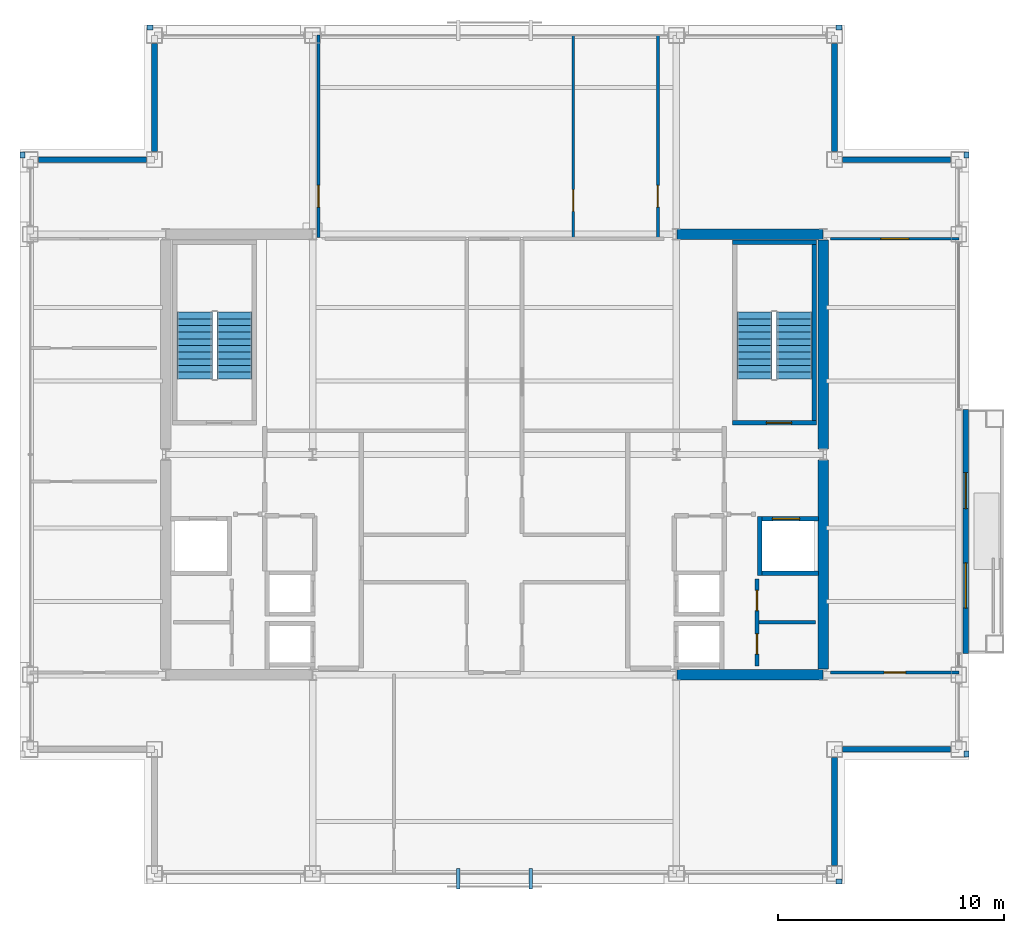
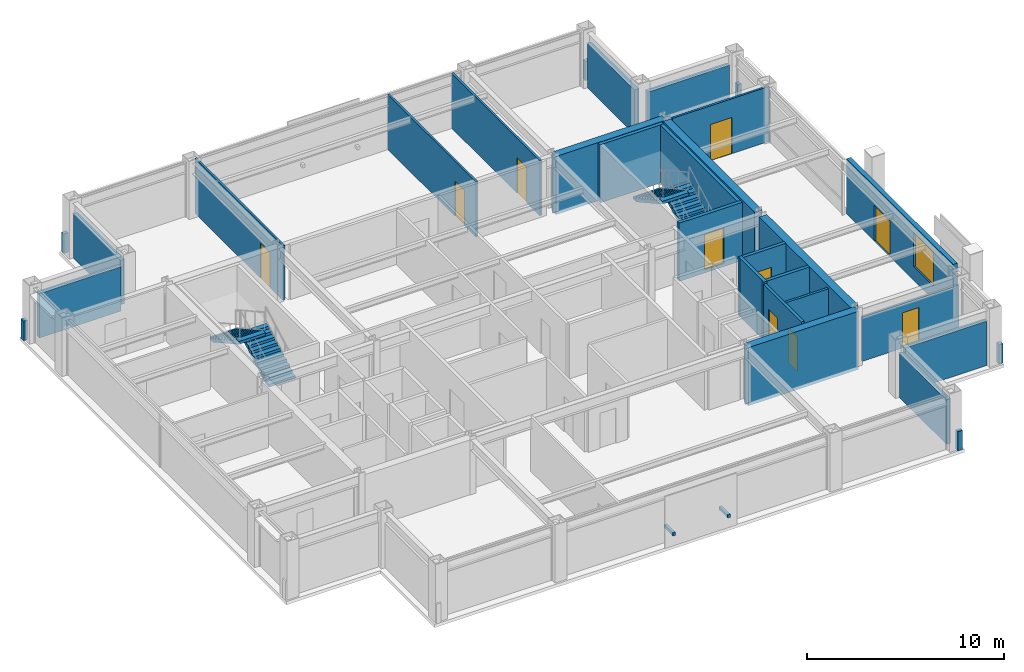
# One storey, part 27 of 30: 30 walls, 10 doors, 4 stair flights, 2 discrete accessories, 1 window, 11 openings, 2 elements without a shape of their own.
"""IFC4 building model written with IfcOpenShell, lengths in metres."""

from ifc_helpers import new_model, si_unit, direction, frame, frame_2d, origin, origin_2d, place, context, subcontext, project, spatial, polyline, rectangle, outline, extrude, material, layer, layer_set, type_object, element, fill, aggregate, save


model = new_model("IFC4")

# Units and contexts
model_context = context("Model", 3, precision=1e-05, world=origin(), true_north=direction((0.0, 1.0)))
body_context = subcontext(model_context, "Body", "Model", "MODEL_VIEW")
ifc_project = project(units=[si_unit("LENGTHUNIT", "METRE"), si_unit("AREAUNIT", "SQUARE_METRE"), si_unit("VOLUMEUNIT", "CUBIC_METRE"), si_unit("PLANEANGLEUNIT", "RADIAN"), si_unit("MASSUNIT", "GRAM", prefix="KILO")], contexts=[model_context])

# Site, building, storey
site_placement = place(None, origin())
site = spatial("IfcSite", under=ifc_project, at=site_placement, CompositionType="ELEMENT")
building_placement = place(site_placement, origin())
building = spatial("IfcBuilding", under=site, at=building_placement, Name="Brelmoor Portico Tower", CompositionType="ELEMENT")
storey_placement = place(building_placement, frame((0.0, 0.0, 187.5)))
storey = spatial("IfcBuildingStorey", under=building, at=storey_placement, Name="L49", CompositionType="ELEMENT", Elevation=187.5)

# Walls
ifc_material_1 = material(Name="Concrete C50", Category="concrete")
ifc_layer_1 = layer(ifc_material_1, 0.449951171875)
ifc_layer_set_1 = layer_set([ifc_layer_1], Name="Concrete C50")
wall_type_1 = type_object("IfcWallType", Name="WL-CORE-450", PredefinedType="SHEAR", material=ifc_layer_set_1)
for number, where, z_axis, x_axis, name in (
    (1, (8.070068359375, -9.75, -0.199951171875), (0.0, 0.0, 1.0), (1.0, 0.0, 0.0), "L49 EC South Shear Wall"),
    (2, (8.070068359375, 9.75, -0.199951171875), (0.0, 0.0, 1.0), (1.0, 0.0, 0.0), "L49 EC North Shear Wall"),
):
    element("IfcWall", number, at=place(storey_placement, frame(where, z_axis=z_axis, x_axis=x_axis)), inside=storey, type_object=wall_type_1, Name=name, PredefinedType="SHEAR", context=body_context, shape_type="SweptSolid", body=[
        extrude(rectangle(XDim=6.4599609375, YDim=0.449951171875, at=frame_2d((3.22998046875, 0.0))), origin(), (0.0, 0.0, 1.0), 3.599853515625),
    ])
for number, where, z_axis, x_axis, name in (
    (3, (14.550048828125, -9.5, -0.199951171875), (0.0, 0.0, 1.0), (0.0, 1.0, 0.0), "L49 EC Outer South Shear Wall"),
    (4, (14.550048828125, 0.25, -0.199951171875), (0.0, 0.0, 1.0), (0.0, 1.0, 0.0), "L49 EC Outer North Shear Wall"),
):
    element("IfcWall", number, at=place(storey_placement, frame(where, z_axis=z_axis, x_axis=x_axis)), inside=storey, type_object=wall_type_1, Name=name, PredefinedType="SHEAR", context=body_context, shape_type="SweptSolid", body=[
        extrude(rectangle(XDim=9.25, YDim=0.449951171875, at=frame_2d((4.625, 0.0))), origin(), (0.0, 0.0, 1.0), 3.599853515625),
    ])

# Wall, openings, door, window
ifc_material_2 = material(Name="Precast Concrete C40 Insulated Facade Wall", Category="concrete")
ifc_layer_2 = layer(ifc_material_2, 0.25)
ifc_layer_set_2 = layer_set([ifc_layer_2], Name="Precast Concrete C40 Insulated Facade Wall")
wall_type_2 = type_object("IfcWallType", Name="WL-EXT-250", PredefinedType="STANDARD", material=ifc_layer_set_2)
wall_1_placement = place(storey_placement, frame((20.860107421875, -8.800048828125, 0.0), z_axis=(0.0, 0.0, 1.0), x_axis=(0.0, 1.0, 0.0)))
wall_1 = element("IfcWall", 5, at=wall_1_placement, inside=storey, type_object=wall_type_2, Name="L49 Loggia Threshold Wall E-1", PredefinedType="STANDARD", context=body_context, shape_type="SweptSolid", body=[
    extrude(rectangle(XDim=10.800048828125, YDim=0.25, at=frame_2d((5.39990234375, 0.0))), origin(), (0.0, 0.0, 1.0), 3.39990234375),
])
opening_1_placement = place(wall_1_placement, frame((6.39990234375, 0.0, 0.0)))
opening_1 = element("IfcOpeningElement", 6, at=opening_1_placement, cuts=wall_1, Name="Opening D-TB1", PredefinedType="OPENING", context=body_context, shape_type="SweptSolid", body=[
    extrude(rectangle(XDim=1.60009765625, YDim=2.199951171875, at=frame_2d((0.800048828125, 1.10009765625))), frame((0.0, 0.135009765625, 0.0), z_axis=(0.0, -1.0, 0.0), x_axis=(1.0, 0.0, 0.0)), (0.0, 0.0, 1.0), 0.27001953125),
])
opening_2_placement = place(wall_1_placement, frame((2.0, 0.0, 0.85009765625)))
opening_2 = element("IfcOpeningElement", 7, at=opening_2_placement, cuts=wall_1, Name="Opening W-03", PredefinedType="OPENING", context=body_context, shape_type="SweptSolid", body=[
    extrude(rectangle(XDim=2.0, YDim=2.10009765625, at=frame_2d((1.0, 1.050048828125))), frame((0.0, 0.135009765625, 0.0), z_axis=(0.0, -1.0, 0.0), x_axis=(1.0, 0.0, 0.0)), (0.0, 0.0, 1.0), 0.27001953125),
])
ifc_material_3 = material(Name="Double-Leaf Thermally Broken Terrace Door", Category="aluminium")
door_type_1 = type_object("IfcDoorType", Name="DR-BALCONY-1600", OperationType="NOTDEFINED", PredefinedType="DOOR", material=ifc_material_3)
door_1_placement = place(opening_1_placement, origin())
door_1 = element("IfcDoor", 8, at=door_1_placement, inside=storey, type_object=door_type_1, Name="D-2093 L49 Tree Balcony Double Door E", OperationType="DOUBLE_DOOR_SINGLE_SWING", OverallHeight=2.199951171875, OverallWidth=1.60009765625, PredefinedType="DOOR", context=body_context, shape_type="SweptSolid", body=[
    extrude(rectangle(XDim=1.60009765625, YDim=2.199951171875, at=frame_2d((0.800048828125, 1.10009765625))), frame((0.0, 0.02490234375, 0.0), z_axis=(0.0, -1.0, 0.0), x_axis=(1.0, 0.0, 0.0)), (0.0, 0.0, 1.0), 0.050048828125),
])
fill(opening_1, door_1)
ifc_material_4 = material(Name="Thermally Broken Aluminium Low-E Window", Category="aluminium")
window_type = type_object("IfcWindowType", Name="WN-LOGGIA-2000x2100", PartitioningType="SINGLE_PANEL", PredefinedType="WINDOW", material=ifc_material_4)
window_placement = place(opening_2_placement, origin())
window = element("IfcWindow", 9, at=window_placement, inside=storey, type_object=window_type, Name="L49 Loggia Window E", OverallHeight=2.10009765625, OverallWidth=2.0, PartitioningType="SINGLE_PANEL", PredefinedType="WINDOW", context=body_context, shape_type="SweptSolid", body=[
    extrude(rectangle(XDim=2.0, YDim=2.10009765625, at=frame_2d((1.0, 1.050048828125))), frame((0.0, 0.030029296875, 0.0), z_axis=(0.0, -1.0, 0.0), x_axis=(1.0, 0.0, 0.0)), (0.0, 0.0, 1.0), 0.06005859375),
])
fill(opening_2, window)

# Walls
for number, where, z_axis, x_axis, name in (
    (10, (15.409912109375, -13.050048828125, 0.0), (0.0, 0.0, 1.0), (1.0, 0.0, 0.0), "L49 Corner Notch Facade Wall NSEH1"),
    (11, (15.050048828125, -18.18994140625, 0.0), (0.0, 0.0, 1.0), (0.0, 1.0, 0.0), "L49 Corner Notch Facade Wall NSEV1"),
    (12, (-20.18994140625, 13.050048828125, 0.0), (0.0, 0.0, 1.0), (1.0, 0.0, 0.0), "L49 Corner Notch Facade Wall NNWH1"),
    (13, (-15.050048828125, 13.409912109375, 0.0), (0.0, 0.0, 1.0), (0.0, 1.0, 0.0), "L49 Corner Notch Facade Wall NNWV1"),
    (14, (15.409912109375, 13.050048828125, 0.0), (0.0, 0.0, 1.0), (1.0, 0.0, 0.0), "L49 Corner Notch Facade Wall NNEH1"),
    (15, (15.050048828125, 13.409912109375, 0.0), (0.0, 0.0, 1.0), (0.0, 1.0, 0.0), "L49 Corner Notch Facade Wall NNEV1"),
):
    element("IfcWall", number, at=place(storey_placement, frame(where, z_axis=z_axis, x_axis=x_axis)), inside=storey, type_object=wall_type_2, Name=name, PredefinedType="STANDARD", context=body_context, shape_type="SweptSolid", body=[
        extrude(rectangle(XDim=4.780029296875, YDim=0.25, at=frame_2d((2.39013671875, 0.0))), origin(), (0.0, 0.0, 1.0), 2.75),
    ])
ifc_material_5 = material(Name="Concrete C40 Parapet Upstand", Category="concrete")
ifc_layer_3 = layer(ifc_material_5, 0.219970703125)
ifc_layer_set_3 = layer_set([ifc_layer_3], Name="Concrete C40 Parapet Upstand")
wall_type_3 = type_object("IfcWallType", Name="WL-PARAPET-220", PredefinedType="PARAPET", material=ifc_layer_set_3)
for number, where, z_axis, x_axis, name in (
    (16, (15.1201171875, -18.889892578125, 0.0), (0.0, 0.0, 1.0), (1.0, 0.0, 0.0), "L49 Chamfer Vertex Parapet Pier SE1"),
    (17, (20.889892578125, -13.389892578125, 0.0), (0.0, 0.0, 1.0), (0.0, 1.0, 0.0), "L49 Chamfer Vertex Parapet Pier SE2"),
    (18, (-15.389892578125, 18.889892578125, 0.0), (0.0, 0.0, 1.0), (1.0, 0.0, 0.0), "L49 Chamfer Vertex Parapet Pier NW1"),
    (19, (-20.889892578125, 13.1201171875, 0.0), (0.0, 0.0, 1.0), (0.0, 1.0, 0.0), "L49 Chamfer Vertex Parapet Pier NW2"),
    (20, (15.1201171875, 18.889892578125, 0.0), (0.0, 0.0, 1.0), (1.0, 0.0, 0.0), "L49 Chamfer Vertex Parapet Pier NE1"),
    (21, (20.889892578125, 13.1201171875, 0.0), (0.0, 0.0, 1.0), (0.0, 1.0, 0.0), "L49 Chamfer Vertex Parapet Pier NE2"),
):
    element("IfcWall", number, at=place(storey_placement, frame(where, z_axis=z_axis, x_axis=x_axis)), inside=storey, type_object=wall_type_3, Name=name, PredefinedType="PARAPET", context=body_context, shape_type="SweptSolid", body=[
        extrude(rectangle(XDim=0.269775390625, YDim=0.219970703125, at=frame_2d((0.134765625, 0.0))), origin(), (0.0, 0.0, 1.0), 1.199951171875),
    ])

# Wall, opening, door
ifc_material_6 = material(Name="Lightweight Gypsum Office Partition", Category="gypsum")
ifc_layer_4 = layer(ifc_material_6, 0.1201171875)
ifc_layer_set_4 = layer_set([ifc_layer_4], Name="Lightweight Gypsum Office Partition")
wall_type_4 = type_object("IfcWallType", Name="WL-PART-120", PredefinedType="PARTITIONING", material=ifc_layer_set_4)
wall_2_placement = place(storey_placement, frame((-7.78955078125, 9.610107421875, 0.0), z_axis=(0.0, 0.0, 1.0), x_axis=(0.0, 1.0, 0.0)))
wall_2 = element("IfcWall", 22, at=wall_2_placement, inside=storey, type_object=wall_type_4, Name="L49 North Suite Partition 1", PredefinedType="PARTITIONING", context=body_context, shape_type="SweptSolid", body=[
    extrude(rectangle(XDim=8.949951171875, YDim=0.1201171875, at=frame_2d((4.47509765625, 0.0))), origin(), (0.0, 0.0, 1.0), 3.39990234375),
])
opening_3_placement = place(wall_2_placement, frame((1.340087890625, 0.0, 0.0)))
opening_3 = element("IfcOpeningElement", 23, at=opening_3_placement, cuts=wall_2, Name="Opening D-IN2", PredefinedType="OPENING", context=body_context, shape_type="SweptSolid", body=[
    extrude(rectangle(XDim=0.9599609375, YDim=2.179931640625, at=frame_2d((0.47998046875, 1.08984375))), frame((0.0, 0.070068359375, 0.0), z_axis=(0.0, -1.0, 0.0), x_axis=(1.0, 0.0, 0.0)), (0.0, 0.0, 1.0), 0.14013671875),
])
ifc_material_7 = material(Name="Lacquered Timber Suite Door", Category="wood")
door_type_2 = type_object("IfcDoorType", Name="DR-INT-950", OperationType="NOTDEFINED", PredefinedType="DOOR", material=ifc_material_7)
door_2_placement = place(opening_3_placement, origin())
door_2 = element("IfcDoor", 24, at=door_2_placement, inside=storey, type_object=door_type_2, Name="D-2082 L49 North Suite Connecting Door 1", OperationType="SINGLE_SWING_RIGHT", OverallHeight=2.179931640625, OverallWidth=0.9599609375, PredefinedType="DOOR", context=body_context, shape_type="SweptSolid", body=[
    extrude(rectangle(XDim=0.9599609375, YDim=2.179931640625, at=frame_2d((0.47998046875, 1.08984375))), frame((0.0, 0.02490234375, 0.0), z_axis=(0.0, -1.0, 0.0), x_axis=(1.0, 0.0, 0.0)), (0.0, 0.0, 1.0), 0.050048828125),
])
fill(opening_3, door_2)

wall_3_placement = place(storey_placement, frame((3.490966796875, 9.610107421875, 0.0), z_axis=(0.0, 0.0, 1.0), x_axis=(0.0, 1.0, 0.0)))
wall_3 = element("IfcWall", 25, at=wall_3_placement, inside=storey, type_object=wall_type_4, Name="L49 North Suite Partition 2", PredefinedType="PARTITIONING", context=body_context, shape_type="SweptSolid", body=[
    extrude(rectangle(XDim=8.949951171875, YDim=0.1201171875, at=frame_2d((4.47509765625, 0.0))), origin(), (0.0, 0.0, 1.0), 3.39990234375),
])
opening_4_placement = place(wall_3_placement, frame((1.14990234375, 0.0, 0.0)))
opening_4 = element("IfcOpeningElement", 26, at=opening_4_placement, cuts=wall_3, Name="Opening D-IN2", PredefinedType="OPENING", context=body_context, shape_type="SweptSolid", body=[
    extrude(rectangle(XDim=0.9599609375, YDim=2.179931640625, at=frame_2d((0.47998046875, 1.08984375))), frame((0.0, 0.070068359375, 0.0), z_axis=(0.0, -1.0, 0.0), x_axis=(1.0, 0.0, 0.0)), (0.0, 0.0, 1.0), 0.14013671875),
])
door_3_placement = place(opening_4_placement, origin())
door_3 = element("IfcDoor", 27, at=door_3_placement, inside=storey, type_object=door_type_2, Name="D-2083 L49 North Suite Connecting Door 2", OperationType="SINGLE_SWING_LEFT", OverallHeight=2.179931640625, OverallWidth=0.9599609375, PredefinedType="DOOR", context=body_context, shape_type="SweptSolid", body=[
    extrude(rectangle(XDim=0.9599609375, YDim=2.179931640625, at=frame_2d((0.47998046875, 1.08984375))), frame((0.0, 0.02490234375, 0.0), z_axis=(0.0, -1.0, 0.0), x_axis=(1.0, 0.0, 0.0)), (0.0, 0.0, 1.0), 0.050048828125),
])
fill(opening_4, door_3)

wall_4_placement = place(storey_placement, frame((7.233154296875, 9.610107421875, 0.0), z_axis=(0.0, 0.0, 1.0), x_axis=(0.0, 1.0, 0.0)))
wall_4 = element("IfcWall", 28, at=wall_4_placement, inside=storey, type_object=wall_type_4, Name="L49 North Suite Partition 3", PredefinedType="PARTITIONING", context=body_context, shape_type="SweptSolid", body=[
    extrude(rectangle(XDim=8.949951171875, YDim=0.1201171875, at=frame_2d((4.47509765625, 0.0))), origin(), (0.0, 0.0, 1.0), 3.39990234375),
])
opening_5_placement = place(wall_4_placement, frame((1.340087890625, 0.0, 0.0)))
opening_5 = element("IfcOpeningElement", 29, at=opening_5_placement, cuts=wall_4, Name="Opening D-IN2", PredefinedType="OPENING", context=body_context, shape_type="SweptSolid", body=[
    extrude(rectangle(XDim=0.9599609375, YDim=2.179931640625, at=frame_2d((0.47998046875, 1.08984375))), frame((0.0, 0.070068359375, 0.0), z_axis=(0.0, -1.0, 0.0), x_axis=(1.0, 0.0, 0.0)), (0.0, 0.0, 1.0), 0.14013671875),
])
door_4_placement = place(opening_5_placement, origin())
door_4 = element("IfcDoor", 30, at=door_4_placement, inside=storey, type_object=door_type_2, Name="D-2084 L49 North Suite Connecting Door 3", OperationType="SINGLE_SWING_RIGHT", OverallHeight=2.179931640625, OverallWidth=0.9599609375, PredefinedType="DOOR", context=body_context, shape_type="SweptSolid", body=[
    extrude(rectangle(XDim=0.9599609375, YDim=2.179931640625, at=frame_2d((0.47998046875, 1.08984375))), frame((0.0, 0.02490234375, 0.0), z_axis=(0.0, -1.0, 0.0), x_axis=(1.0, 0.0, 0.0)), (0.0, 0.0, 1.0), 0.050048828125),
])
fill(opening_5, door_4)

wall_5_placement = place(storey_placement, frame((14.8798828125, 9.550048828125, 0.0), z_axis=(0.0, 0.0, 1.0), x_axis=(1.0, 0.0, 0.0)))
wall_5 = element("IfcWall", 31, at=wall_5_placement, inside=storey, type_object=wall_type_4, Name="L49 North Wing Suite Wall ER", PredefinedType="PARTITIONING", context=body_context, shape_type="SweptSolid", body=[
    extrude(rectangle(XDim=5.68017578125, YDim=0.1201171875, at=frame_2d((2.840087890625, 0.0))), origin(), (0.0, 0.0, 1.0), 3.39990234375),
])
opening_6_placement = place(wall_5_placement, frame((2.219970703125, 0.0, 0.0)))
opening_6 = element("IfcOpeningElement", 32, at=opening_6_placement, cuts=wall_5, Name="Opening D-SU1", PredefinedType="OPENING", context=body_context, shape_type="SweptSolid", body=[
    extrude(rectangle(XDim=1.239990234375, YDim=2.239990234375, at=frame_2d((0.6201171875, 1.1201171875))), frame((0.0, 0.070068359375, 0.0), z_axis=(0.0, -1.0, 0.0), x_axis=(1.0, 0.0, 0.0)), (0.0, 0.0, 1.0), 0.14013671875),
])
ifc_material_8 = material(Name="Glazed Timber Executive Suite Door", Category="wood")
door_type_3 = type_object("IfcDoorType", Name="DR-SUITE-1200", OperationType="NOTDEFINED", PredefinedType="DOOR", material=ifc_material_8)
door_5_placement = place(opening_6_placement, origin())
door_5 = element("IfcDoor", 33, at=door_5_placement, inside=storey, type_object=door_type_3, Name="D-2085 L49 ER Wing Suite Connecting Door", OperationType="SINGLE_SWING_LEFT", OverallHeight=2.239990234375, OverallWidth=1.239990234375, PredefinedType="DOOR", context=body_context, shape_type="SweptSolid", body=[
    extrude(rectangle(XDim=1.239990234375, YDim=2.239990234375, at=frame_2d((0.6201171875, 1.1201171875))), frame((0.0, 0.02490234375, 0.0), z_axis=(0.0, -1.0, 0.0), x_axis=(1.0, 0.0, 0.0)), (0.0, 0.0, 1.0), 0.050048828125),
])
fill(opening_6, door_5)

wall_6_placement = place(storey_placement, frame((14.8798828125, -9.64990234375, 0.0), z_axis=(0.0, 0.0, 1.0), x_axis=(1.0, 0.0, 0.0)))
wall_6 = element("IfcWall", 34, at=wall_6_placement, inside=storey, type_object=wall_type_4, Name="L49 South Wing Closure ER", PredefinedType="PARTITIONING", context=body_context, shape_type="SweptSolid", body=[
    extrude(rectangle(XDim=5.68017578125, YDim=0.1201171875, at=frame_2d((2.840087890625, 0.0))), origin(), (0.0, 0.0, 1.0), 2.75),
])
opening_7_placement = place(wall_6_placement, frame((2.360107421875, 0.0, 0.0)))
opening_7 = element("IfcOpeningElement", 35, at=opening_7_placement, cuts=wall_6, Name="Opening D-IN2", PredefinedType="OPENING", context=body_context, shape_type="SweptSolid", body=[
    extrude(rectangle(XDim=0.9599609375, YDim=2.179931640625, at=frame_2d((0.47998046875, 1.08984375))), frame((0.0, 0.070068359375, 0.0), z_axis=(0.0, -1.0, 0.0), x_axis=(1.0, 0.0, 0.0)), (0.0, 0.0, 1.0), 0.14013671875),
])
door_6_placement = place(opening_7_placement, origin())
door_6 = element("IfcDoor", 36, at=door_6_placement, inside=storey, type_object=door_type_2, Name="D-2091 L49 ER Wing South Suite Door", OperationType="SINGLE_SWING_LEFT", OverallHeight=2.179931640625, OverallWidth=0.9599609375, PredefinedType="DOOR", context=body_context, shape_type="SweptSolid", body=[
    extrude(rectangle(XDim=0.9599609375, YDim=2.179931640625, at=frame_2d((0.47998046875, 1.08984375))), frame((0.0, 0.02490234375, 0.0), z_axis=(0.0, -1.0, 0.0), x_axis=(1.0, 0.0, 0.0)), (0.0, 0.0, 1.0), 0.050048828125),
])
fill(opening_7, door_6)

# Wall
ifc_material_9 = material(Name="Insulated Stud Suite Partition", Category="gypsum")
ifc_layer_5 = layer(ifc_material_9, 0.139892578125)
ifc_layer_set_5 = layer_set([ifc_layer_5], Name="Insulated Stud Suite Partition")
wall_type_5 = type_object("IfcWallType", Name="WL-PART-140", PredefinedType="PARTITIONING", material=ifc_layer_set_5)
wall_7_placement = place(storey_placement, frame((11.699951171875, -7.425048828125, 0.0), z_axis=(0.0, 0.0, 1.0), x_axis=(1.0, 0.0, 0.0)))
element("IfcWall", 37, at=wall_7_placement, inside=storey, type_object=wall_type_5, Name="L49 E Core WC Divider 1", PredefinedType="PARTITIONING", context=body_context, shape_type="SweptSolid", body=[
    extrude(rectangle(XDim=2.5, YDim=0.139892578125, at=frame_2d((1.25, 0.0))), origin(), (0.0, 0.0, 1.0), 3.39990234375),
])

# Wall, openings, doors
ifc_material_10 = material(Name="Twin-Frame Acoustic Partition", Category="gypsum")
ifc_layer_6 = layer(ifc_material_10, 0.159912109375)
ifc_layer_set_6 = layer_set([ifc_layer_6], Name="Twin-Frame Acoustic Partition")
wall_type_6 = type_object("IfcWallType", Name="WL-PART-160", PredefinedType="PARTITIONING", material=ifc_layer_set_6)
wall_8_placement = place(storey_placement, frame((11.6201171875, -9.35009765625, 0.0), z_axis=(0.0, 0.0, 1.0), x_axis=(0.0, 1.0, 0.0)))
wall_8 = element("IfcWall", 38, at=wall_8_placement, inside=storey, type_object=wall_type_6, Name="L49 E Core Service Front Wall", PredefinedType="PARTITIONING", context=body_context, shape_type="SweptSolid", body=[
    extrude(rectangle(XDim=3.85009765625, YDim=0.159912109375, at=frame_2d((1.925048828125, 0.0))), origin(), (0.0, 0.0, 1.0), 3.39990234375),
])
opening_8_placement = place(wall_8_placement, frame((0.512451171875, 0.0, 0.0)))
opening_8 = element("IfcOpeningElement", 39, at=opening_8_placement, cuts=wall_8, Name="Opening D-IN1", PredefinedType="OPENING", context=body_context, shape_type="SweptSolid", body=[
    extrude(rectangle(XDim=0.89990234375, YDim=2.14990234375, at=frame_2d((0.449951171875, 1.074951171875))), frame((0.0, 0.08984375, 0.0), z_axis=(0.0, -1.0, 0.0), x_axis=(1.0, 0.0, 0.0)), (0.0, 0.0, 1.0), 0.179931640625),
])
opening_9_placement = place(wall_8_placement, frame((2.4375, 0.0, 0.0)))
opening_9 = element("IfcOpeningElement", 40, at=opening_9_placement, cuts=wall_8, Name="Opening D-IN1", PredefinedType="OPENING", context=body_context, shape_type="SweptSolid", body=[
    extrude(rectangle(XDim=0.89990234375, YDim=2.14990234375, at=frame_2d((0.449951171875, 1.074951171875))), frame((0.0, 0.08984375, 0.0), z_axis=(0.0, -1.0, 0.0), x_axis=(1.0, 0.0, 0.0)), (0.0, 0.0, 1.0), 0.179931640625),
])
door_type_4 = type_object("IfcDoorType", Name="DR-INT-900", OperationType="NOTDEFINED", PredefinedType="DOOR", material=ifc_material_7)
door_7_placement = place(opening_8_placement, origin())
door_7 = element("IfcDoor", 41, at=door_7_placement, inside=storey, type_object=door_type_4, Name="D-2069 L49 E Male WC Door", OperationType="SINGLE_SWING_RIGHT", OverallHeight=2.14990234375, OverallWidth=0.89990234375, PredefinedType="DOOR", context=body_context, shape_type="SweptSolid", body=[
    extrude(rectangle(XDim=0.89990234375, YDim=2.14990234375, at=frame_2d((0.449951171875, 1.074951171875))), frame((0.0, 0.02490234375, 0.0), z_axis=(0.0, -1.0, 0.0), x_axis=(1.0, 0.0, 0.0)), (0.0, 0.0, 1.0), 0.050048828125),
])
fill(opening_8, door_7)
door_8_placement = place(opening_9_placement, origin())
door_8 = element("IfcDoor", 42, at=door_8_placement, inside=storey, type_object=door_type_4, Name="D-2070 L49 E Female WC Door", OperationType="SINGLE_SWING_LEFT", OverallHeight=2.14990234375, OverallWidth=0.89990234375, PredefinedType="DOOR", context=body_context, shape_type="SweptSolid", body=[
    extrude(rectangle(XDim=0.89990234375, YDim=2.14990234375, at=frame_2d((0.449951171875, 1.074951171875))), frame((0.0, 0.02490234375, 0.0), z_axis=(0.0, -1.0, 0.0), x_axis=(1.0, 0.0, 0.0)), (0.0, 0.0, 1.0), 0.050048828125),
])
fill(opening_9, door_8)

# Wall, opening, door
ifc_material_11 = material(Name="Precast Concrete C40", Category="concrete")
ifc_layer_7 = layer(ifc_material_11, 0.18994140625)
ifc_layer_set_7 = layer_set([ifc_layer_7], Name="Precast Concrete C40")
wall_type_7 = type_object("IfcWallType", Name="WL-SHAFT-180", PredefinedType="SOLIDWALL", material=ifc_layer_set_7)
wall_9_placement = place(storey_placement, frame((11.64990234375, -2.844970703125, -0.199951171875), z_axis=(0.0, 0.0, 1.0), x_axis=(1.0, 0.0, 0.0)))
wall_9 = element("IfcWall", 43, at=wall_9_placement, inside=storey, type_object=wall_type_7, Name="L49 Lift FF2 Hoistway Front Wall", PredefinedType="SOLIDWALL", context=body_context, shape_type="SweptSolid", body=[
    extrude(rectangle(XDim=2.68017578125, YDim=0.18994140625, at=frame_2d((1.340087890625, 0.0))), origin(), (0.0, 0.0, 1.0), 3.599853515625),
])
opening_10_placement = place(wall_9_placement, frame((0.64990234375, 0.0, 0.199951171875)))
opening_10 = element("IfcOpeningElement", 44, at=opening_10_placement, cuts=wall_9, Name="Opening LD-02", PredefinedType="OPENING", context=body_context, shape_type="SweptSolid", body=[
    extrude(rectangle(XDim=1.199951171875, YDim=2.199951171875, at=frame_2d((0.60009765625, 1.10009765625))), frame((0.0, 0.10498046875, 0.0), z_axis=(0.0, -1.0, 0.0), x_axis=(1.0, 0.0, 0.0)), (0.0, 0.0, 1.0), 0.2099609375),
])
ifc_material_12 = material(Name="Brushed Stainless Steel Firefighting Lift Door", Category="steel")
door_type_5 = type_object("IfcDoorType", Name="DR-LIFT-1200", OperationType="NOTDEFINED", PredefinedType="DOOR", material=ifc_material_12)
door_9_placement = place(opening_10_placement, origin())
door_9 = element("IfcDoor", 45, at=door_9_placement, inside=storey, type_object=door_type_5, Name="D-2097 L49 Lift FF2 Sliding Landing Door", OperationType="SLIDING_TO_LEFT", OverallHeight=2.199951171875, OverallWidth=1.199951171875, PredefinedType="DOOR", context=body_context, shape_type="SweptSolid", body=[
    extrude(rectangle(XDim=1.199951171875, YDim=2.199951171875, at=frame_2d((0.60009765625, 1.10009765625))), frame((0.0, 0.02490234375, 0.0), z_axis=(0.0, -1.0, 0.0), x_axis=(1.0, 0.0, 0.0)), (0.0, 0.0, 1.0), 0.050048828125),
])
fill(opening_10, door_9)

# Walls
wall_10_placement = place(storey_placement, frame((11.64990234375, -5.2548828125, -0.199951171875), z_axis=(0.0, 0.0, 1.0), x_axis=(1.0, 0.0, 0.0)))
element("IfcWall", 46, at=wall_10_placement, inside=storey, type_object=wall_type_7, Name="L49 Firefighting Lift FF2 South Wall", PredefinedType="SOLIDWALL", context=body_context, shape_type="SweptSolid", body=[
    extrude(rectangle(XDim=2.68017578125, YDim=0.18994140625, at=frame_2d((1.340087890625, 0.0))), origin(), (0.0, 0.0, 1.0), 3.599853515625),
])
wall_11_placement = place(storey_placement, frame((11.7451171875, -5.35009765625, -0.199951171875), z_axis=(0.0, 0.0, 1.0), x_axis=(0.0, 1.0, 0.0)))
element("IfcWall", 47, at=wall_11_placement, inside=storey, type_object=wall_type_7, Name="L49 Firefighting Lift FF2 Inner Wall", PredefinedType="SOLIDWALL", context=body_context, shape_type="SweptSolid", body=[
    extrude(rectangle(XDim=2.60009765625, YDim=0.18994140625, at=frame_2d((1.300048828125, 0.0))), origin(), (0.0, 0.0, 1.0), 3.599853515625),
])
ifc_material_13 = material(Name="Concrete C40", Category="concrete")
ifc_layer_8 = layer(ifc_material_13, 0.199951171875)
ifc_layer_set_8 = layer_set([ifc_layer_8], Name="Concrete C40")
wall_type_8 = type_object("IfcWallType", Name="WL-SHAFT-RC200", PredefinedType="SOLIDWALL", material=ifc_layer_set_8)
wall_12_placement = place(storey_placement, frame((14.14990234375, 1.5, -0.199951171875), z_axis=(0.0, 0.0, 1.0), x_axis=(0.0, 1.0, 0.0)))
element("IfcWall", 48, at=wall_12_placement, inside=storey, type_object=wall_type_8, Name="L49 ST-E Structural Stair Wall Outer", PredefinedType="SOLIDWALL", context=body_context, shape_type="SweptSolid", body=[
    extrude(rectangle(XDim=7.800048828125, YDim=0.199951171875, at=frame_2d((3.89990234375, 0.0))), origin(), (0.0, 0.0, 1.0), 3.599853515625),
])

# Wall, opening, door
wall_13_placement = place(storey_placement, frame((10.530029296875, 1.39990234375, -0.199951171875), z_axis=(0.0, 0.0, 1.0), x_axis=(1.0, 0.0, 0.0)))
wall_13 = element("IfcWall", 49, at=wall_13_placement, inside=storey, type_object=wall_type_8, Name="L49 ST-E Structural Stair Wall S", PredefinedType="SOLIDWALL", context=body_context, shape_type="SweptSolid", body=[
    extrude(rectangle(XDim=3.719970703125, YDim=0.199951171875, at=frame_2d((1.85986328125, 0.0))), origin(), (0.0, 0.0, 1.0), 3.599853515625),
])
opening_11_placement = place(wall_13_placement, frame((1.5, 0.0, 0.199951171875)))
opening_11 = element("IfcOpeningElement", 50, at=opening_11_placement, cuts=wall_13, Name="Opening D-ST1", PredefinedType="OPENING", context=body_context, shape_type="SweptSolid", body=[
    extrude(rectangle(XDim=1.1201171875, YDim=2.179931640625, at=frame_2d((0.56005859375, 1.08984375))), frame((0.0, 0.10986328125, 0.0), z_axis=(0.0, -1.0, 0.0), x_axis=(1.0, 0.0, 0.0)), (0.0, 0.0, 1.0), 0.219970703125),
])
ifc_material_14 = material(Name="Painted Galvanised Steel Fire Door", Category="steel")
door_type_6 = type_object("IfcDoorType", Name="DR-STAIR-1100", OperationType="NOTDEFINED", PredefinedType="DOOR", material=ifc_material_14)
door_10_placement = place(opening_11_placement, origin())
door_10 = element("IfcDoor", 51, at=door_10_placement, inside=storey, type_object=door_type_6, Name="D-2089 L49 ST-E Protected Exit Stair Door", OperationType="SINGLE_SWING_RIGHT", OverallHeight=2.179931640625, OverallWidth=1.1201171875, PredefinedType="DOOR", context=body_context, shape_type="SweptSolid", body=[
    extrude(rectangle(XDim=1.1201171875, YDim=2.179931640625, at=frame_2d((0.56005859375, 1.08984375))), frame((0.0, 0.02490234375, 0.0), z_axis=(0.0, -1.0, 0.0), x_axis=(1.0, 0.0, 0.0)), (0.0, 0.0, 1.0), 0.050048828125),
])
fill(opening_11, door_10)

# Wall
wall_14_placement = place(storey_placement, frame((10.530029296875, 9.39990234375, -0.199951171875), z_axis=(0.0, 0.0, 1.0), x_axis=(1.0, 0.0, 0.0)))
element("IfcWall", 52, at=wall_14_placement, inside=storey, type_object=wall_type_8, Name="L49 ST-E Structural Stair Wall N", PredefinedType="SOLIDWALL", context=body_context, shape_type="SweptSolid", body=[
    extrude(rectangle(XDim=3.719970703125, YDim=0.199951171875, at=frame_2d((1.85986328125, 0.0))), origin(), (0.0, 0.0, 1.0), 3.599853515625),
])

# Stair, stair flights
stair_type_1 = type_object("IfcStairType", Name="ST-CORE-W", PredefinedType="HALF_TURN_STAIR", material=ifc_material_13)
stair_1_placement = place(storey_placement, origin())
stair_1 = element("IfcStair", 53, at=stair_1_placement, inside=storey, type_object=stair_type_1, Name="L49 Protected Core Exit Stair ST-W", PredefinedType="HALF_TURN_STAIR")
stair_flight_type = type_object("IfcStairFlightType", Name="SF-CORE-1850", PredefinedType="STRAIGHT", material=ifc_material_13)
stair_flight_1_placement = place(storey_placement, frame((-11.510009765625, 3.35009765625, 0.0), z_axis=(0.0, 0.0, 1.0), x_axis=(0.0, 1.0, 0.0)))
stair_flight_1 = element("IfcStairFlight", 54, at=stair_flight_1_placement, type_object=stair_flight_type, Name="ST-W flight 1", NumberOfRisers=11, NumberOfTreads=10, PredefinedType="STRAIGHT", RiserHeight=0.163636364, TreadLength=0.295, context=body_context, shape_type="SweptSolid", body=[
    extrude(outline(polyline([(0.0, 0.0), (0.0, 0.16357421875), (0.294921875, 0.16357421875), (0.294921875, 0.327392578125), (0.590087890625, 0.327392578125), (0.590087890625, 0.490966796875), (0.885009765625, 0.490966796875), (0.885009765625, 0.654541015625), (1.179931640625, 0.654541015625), (1.179931640625, 0.818115234375), (1.47509765625, 0.818115234375), (1.47509765625, 0.98193359375), (1.77001953125, 0.98193359375), (1.77001953125, 1.1455078125), (2.06494140625, 1.1455078125), (2.06494140625, 1.30908203125), (2.360107421875, 1.30908203125), (2.360107421875, 1.47265625), (2.655029296875, 1.47265625), (2.655029296875, 1.636474609375), (2.949951171875, 1.636474609375), (2.949951171875, 1.800048828125), (2.949951171875, 1.46484375), (0.30908203125, 0.0), (0.0, 0.0)])), frame((0.0, 0.780029296875, 0.0), z_axis=(0.0, -1.0, 0.0), x_axis=(1.0, 0.0, 0.0)), (0.0, 0.0, 1.0), 1.56005859375),
])
stair_flight_2_placement = place(storey_placement, frame((-13.27001953125, 6.300048828125, 1.800048828125), z_axis=(0.0, 0.0, 1.0), x_axis=(0.0, -1.0, 0.0)))
stair_flight_2 = element("IfcStairFlight", 55, at=stair_flight_2_placement, type_object=stair_flight_type, Name="ST-W flight 2", NumberOfRisers=11, NumberOfTreads=10, PredefinedType="STRAIGHT", RiserHeight=0.163636364, TreadLength=0.295, context=body_context, shape_type="SweptSolid", body=[
    extrude(outline(polyline([(0.0, 0.0), (0.0, 0.16357421875), (0.294921875, 0.16357421875), (0.294921875, 0.327392578125), (0.590087890625, 0.327392578125), (0.590087890625, 0.490966796875), (0.885009765625, 0.490966796875), (0.885009765625, 0.654541015625), (1.179931640625, 0.654541015625), (1.179931640625, 0.818115234375), (1.47509765625, 0.818115234375), (1.47509765625, 0.98193359375), (1.77001953125, 0.98193359375), (1.77001953125, 1.1455078125), (2.06494140625, 1.1455078125), (2.06494140625, 1.30908203125), (2.360107421875, 1.30908203125), (2.360107421875, 1.47265625), (2.655029296875, 1.47265625), (2.655029296875, 1.636474609375), (2.949951171875, 1.636474609375), (2.949951171875, 1.800048828125), (2.949951171875, 1.46484375), (0.30908203125, 0.0), (0.0, 0.0)])), frame((0.0, 0.780029296875, 0.0), z_axis=(0.0, -1.0, 0.0), x_axis=(1.0, 0.0, 0.0)), (0.0, 0.0, 1.0), 1.56005859375),
])
aggregate(stair_1, [stair_flight_1, stair_flight_2])

stair_type_2 = type_object("IfcStairType", Name="ST-CORE-E", PredefinedType="HALF_TURN_STAIR", material=ifc_material_13)
stair_2_placement = place(storey_placement, origin())
stair_2 = element("IfcStair", 56, at=stair_2_placement, inside=storey, type_object=stair_type_2, Name="L49 Protected Core Exit Stair ST-E", PredefinedType="HALF_TURN_STAIR")
stair_flight_3_placement = place(storey_placement, frame((13.27001953125, 3.35009765625, 0.0), z_axis=(0.0, 0.0, 1.0), x_axis=(0.0, 1.0, 0.0)))
stair_flight_3 = element("IfcStairFlight", 57, at=stair_flight_3_placement, type_object=stair_flight_type, Name="ST-E flight 1", NumberOfRisers=11, NumberOfTreads=10, PredefinedType="STRAIGHT", RiserHeight=0.163636364, TreadLength=0.295, context=body_context, shape_type="SweptSolid", body=[
    extrude(outline(polyline([(0.0, 0.0), (0.0, 0.16357421875), (0.294921875, 0.16357421875), (0.294921875, 0.327392578125), (0.590087890625, 0.327392578125), (0.590087890625, 0.490966796875), (0.885009765625, 0.490966796875), (0.885009765625, 0.654541015625), (1.179931640625, 0.654541015625), (1.179931640625, 0.818115234375), (1.47509765625, 0.818115234375), (1.47509765625, 0.98193359375), (1.77001953125, 0.98193359375), (1.77001953125, 1.1455078125), (2.06494140625, 1.1455078125), (2.06494140625, 1.30908203125), (2.360107421875, 1.30908203125), (2.360107421875, 1.47265625), (2.655029296875, 1.47265625), (2.655029296875, 1.636474609375), (2.949951171875, 1.636474609375), (2.949951171875, 1.800048828125), (2.949951171875, 1.46484375), (0.30908203125, 0.0), (0.0, 0.0)])), frame((0.0, 0.780029296875, 0.0), z_axis=(0.0, -1.0, 0.0), x_axis=(1.0, 0.0, 0.0)), (0.0, 0.0, 1.0), 1.56005859375),
])
stair_flight_4_placement = place(storey_placement, frame((11.510009765625, 6.300048828125, 1.800048828125), z_axis=(0.0, 0.0, 1.0), x_axis=(0.0, -1.0, 0.0)))
stair_flight_4 = element("IfcStairFlight", 58, at=stair_flight_4_placement, type_object=stair_flight_type, Name="ST-E flight 2", NumberOfRisers=11, NumberOfTreads=10, PredefinedType="STRAIGHT", RiserHeight=0.163636364, TreadLength=0.295, context=body_context, shape_type="SweptSolid", body=[
    extrude(outline(polyline([(0.0, 0.0), (0.0, 0.16357421875), (0.294921875, 0.16357421875), (0.294921875, 0.327392578125), (0.590087890625, 0.327392578125), (0.590087890625, 0.490966796875), (0.885009765625, 0.490966796875), (0.885009765625, 0.654541015625), (1.179931640625, 0.654541015625), (1.179931640625, 0.818115234375), (1.47509765625, 0.818115234375), (1.47509765625, 0.98193359375), (1.77001953125, 0.98193359375), (1.77001953125, 1.1455078125), (2.06494140625, 1.1455078125), (2.06494140625, 1.30908203125), (2.360107421875, 1.30908203125), (2.360107421875, 1.47265625), (2.655029296875, 1.47265625), (2.655029296875, 1.636474609375), (2.949951171875, 1.636474609375), (2.949951171875, 1.800048828125), (2.949951171875, 1.46484375), (0.30908203125, 0.0), (0.0, 0.0)])), frame((0.0, 0.780029296875, 0.0), z_axis=(0.0, -1.0, 0.0), x_axis=(1.0, 0.0, 0.0)), (0.0, 0.0, 1.0), 1.56005859375),
])
aggregate(stair_2, [stair_flight_3, stair_flight_4])

# Discrete accessories
ifc_material_15 = material(Name="Galvanised Steel Q355B", Category="steel")
discrete_accessory_type = type_object("IfcDiscreteAccessoryType", Name="DA-SCREEN-BRACKET", PredefinedType="BRACKET", material=ifc_material_15)
for number, where, z_axis, x_axis, name in (
    (59, (-1.60009765625, -18.780029296875, 0.76025390625), (0.0, 0.0, 1.0), (1.0, 0.0, 0.0), "L49 Solar Screen Bracket S1A"),
    (60, (1.60009765625, -18.780029296875, 0.76025390625), (0.0, 0.0, 1.0), (1.0, 0.0, 0.0), "L49 Solar Screen Bracket S1B"),
):
    element("IfcDiscreteAccessory", number, at=place(storey_placement, frame(where, z_axis=z_axis, x_axis=x_axis)), inside=storey, type_object=discrete_accessory_type, Name=name, PredefinedType="BRACKET", context=body_context, shape_type="SweptSolid", body=[
        extrude(rectangle(XDim=0.159912109375, YDim=0.89990234375, at=origin_2d()), origin(), (0.0, 0.0, 1.0), 0.179931640625),
    ])

save(model, "model.ifc")
